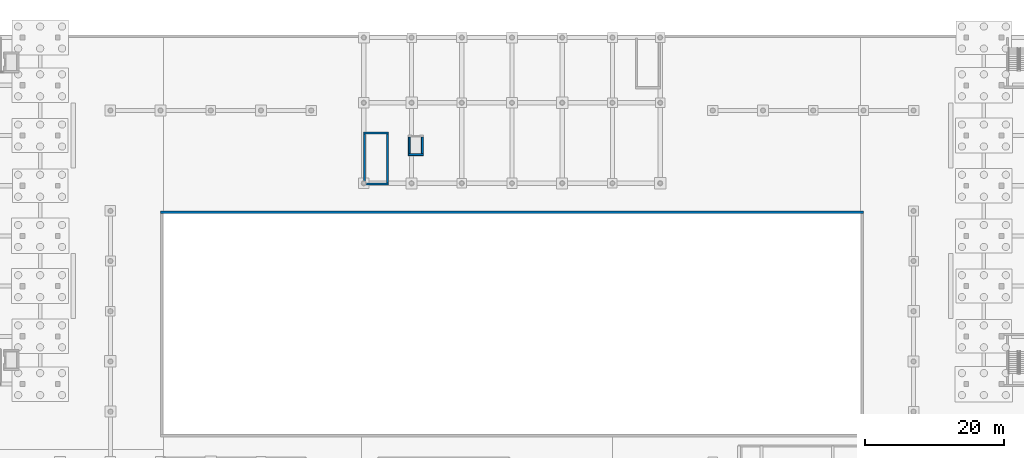
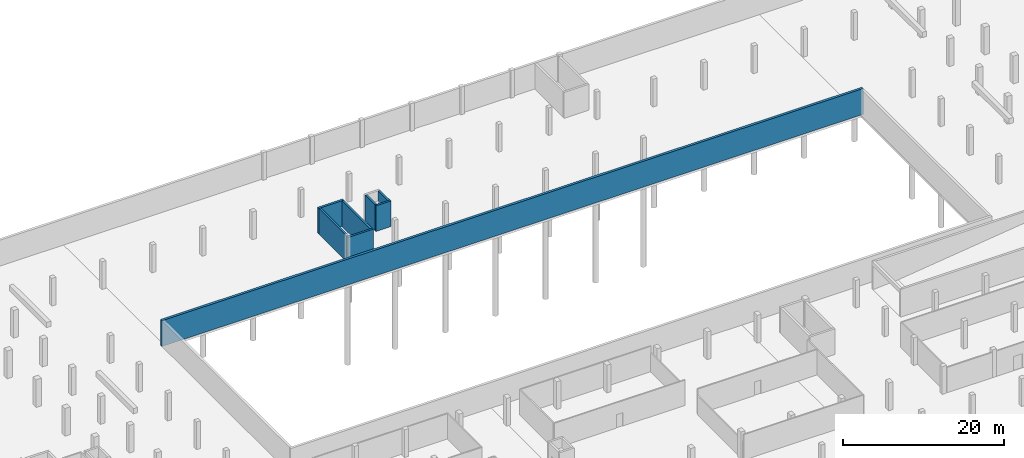
# One storey, part 23 of 36: 8 walls.
"""IFC4 building model written with IfcOpenShell, lengths in metres."""

from ifc_helpers import new_model, si_unit, derived_unit, direction, frame, frame_2d, origin, place, context, subcontext, project, spatial, rectangle, extrude, material, layer, layer_set, type_object, element, save


model = new_model("IFC4")

# Units and contexts
model_context = context("Model", 3, precision=1e-05, world=origin(), true_north=direction((0.0, 1.0)))
body_context = subcontext(model_context, "Body", "Model", "MODEL_VIEW")
ifc_project = project(units=[si_unit("LENGTHUNIT", "METRE"), si_unit("AREAUNIT", "SQUARE_METRE"), si_unit("VOLUMEUNIT", "CUBIC_METRE"), si_unit("PLANEANGLEUNIT", "RADIAN"), si_unit("MASSUNIT", "GRAM", prefix="KILO"), derived_unit("THERMALTRANSMITTANCEUNIT", [(si_unit("MASSUNIT", "GRAM", prefix="KILO"), 1), (si_unit("TIMEUNIT", "SECOND"), -3), (si_unit("THERMODYNAMICTEMPERATUREUNIT", "KELVIN"), -1)])], contexts=[model_context])

# Site, building, storey
site_placement = place(None, origin())
site = spatial("IfcSite", under=ifc_project, at=site_placement, CompositionType="ELEMENT")
building_placement = place(site_placement, origin())
building = spatial("IfcBuilding", under=site, at=building_placement, Name="Ochrekiln Boulevard Commons", CompositionType="ELEMENT")
storey_placement = place(building_placement, frame((0.0, 0.0, -4.199951171875)))
storey = spatial("IfcBuildingStorey", under=building, at=storey_placement, Name="B1", CompositionType="ELEMENT", Elevation=-4.199951171875)

# Walls
ifc_material_1 = material(Name="Concrete C35/45", Category="concrete")
ifc_layer_1 = layer(ifc_material_1, 0.35009765625)
ifc_layer_set_1 = layer_set([ifc_layer_1], Name="Concrete C35/45")
wall_type_1 = type_object("IfcWallType", Name="WL-B1-RET-350", PredefinedType="SOLIDWALL", material=ifc_layer_set_1)
wall_1_placement = place(storey_placement, frame((36.0, 93.425048828125, 0.0), z_axis=(0.0, 0.0, 1.0), x_axis=(1.0, 0.0, 0.0)))
element("IfcWall", 1, at=wall_1_placement, inside=storey, type_object=wall_type_1, Name="B1 Courtyard Soil-Core Retaining N Exterior Wall", PredefinedType="SOLIDWALL", context=body_context, shape_type="SweptSolid", body=[
    extrude(rectangle(XDim=100.800048828125, YDim=0.35009765625, at=frame_2d((50.39990234375, 0.0))), origin(), (0.0, 0.0, 1.0), 3.919921875),
])
ifc_material_2 = material(Name="Concrete C40/50", Category="concrete")
ifc_layer_2 = layer(ifc_material_2, 0.27490234375)
ifc_layer_set_2 = layer_set([ifc_layer_2], Name="Concrete C40/50")
wall_type_2 = type_object("IfcWallType", Name="WL-SH-275", PredefinedType="SHEAR", material=ifc_layer_set_2)
wall_2_placement = place(storey_placement, frame((71.52490234375, 101.66259765625, 0.0), z_axis=(0.0, 0.0, 1.0), x_axis=(1.0, 0.0, 0.0)))
element("IfcWall", 2, at=wall_2_placement, inside=storey, type_object=wall_type_2, Name="Elevator LP-N1 B1 Hoistway Shear Wall", PredefinedType="SHEAR", context=body_context, shape_type="SweptSolid", body=[
    extrude(rectangle(XDim=2.150146484375, YDim=0.27490234375, at=frame_2d((1.0751953125, 0.0))), origin(), (0.0, 0.0, 1.0), 3.919921875),
])
for number, where, z_axis, x_axis, name in (
    (3, (71.66259765625, 101.800048828125, 0.0), (0.0, 0.0, 1.0), (0.0, 1.0, 0.0), "Elevator LP-N1 B1 Hoistway Shear Wall"),
    (4, (73.53759765625, 101.800048828125, 0.0), (0.0, 0.0, 1.0), (0.0, 1.0, 0.0), "Elevator LP-N1 B1 Hoistway Shear Wall"),
):
    element("IfcWall", number, at=place(storey_placement, frame(where, z_axis=z_axis, x_axis=x_axis)), inside=storey, type_object=wall_type_2, Name=name, PredefinedType="SHEAR", context=body_context, shape_type="SweptSolid", body=[
        extrude(rectangle(XDim=2.39990234375, YDim=0.27490234375, at=frame_2d((1.199951171875, 0.0))), origin(), (0.0, 0.0, 1.0), 3.919921875),
    ])
ifc_layer_3 = layer(ifc_material_2, 0.300048828125)
ifc_layer_set_3 = layer_set([ifc_layer_3], Name="Concrete C40/50")
wall_type_3 = type_object("IfcWallType", Name="WL-SH-300", PredefinedType="SHEAR", material=ifc_layer_set_3)
for number, where, z_axis, x_axis, name in (
    (5, (65.10009765625, 97.449951171875, 0.0), (0.0, 0.0, 1.0), (1.0, 0.0, 0.0), "Stair ST-N1 B1 Core Shear Wall S"),
    (6, (65.10009765625, 104.75, 0.0), (0.0, 0.0, 1.0), (1.0, 0.0, 0.0), "Stair ST-N1 B1 Core Shear Wall N"),
):
    element("IfcWall", number, at=place(storey_placement, frame(where, z_axis=z_axis, x_axis=x_axis)), inside=storey, type_object=wall_type_3, Name=name, PredefinedType="SHEAR", context=body_context, shape_type="SweptSolid", body=[
        extrude(rectangle(XDim=3.599853515625, YDim=0.300048828125, at=frame_2d((1.7998046875, 0.0))), origin(), (0.0, 0.0, 1.0), 3.919921875),
    ])
for number, where, z_axis, x_axis, name in (
    (7, (65.25, 97.60009765625, 0.0), (0.0, 0.0, 1.0), (0.0, 1.0, 0.0), "Stair ST-N1 B1 Core Shear Wall W"),
    (8, (68.550048828125, 97.60009765625, 0.0), (0.0, 0.0, 1.0), (0.0, 1.0, 0.0), "Stair ST-N1 B1 Core Shear Wall E"),
):
    element("IfcWall", number, at=place(storey_placement, frame(where, z_axis=z_axis, x_axis=x_axis)), inside=storey, type_object=wall_type_3, Name=name, PredefinedType="SHEAR", context=body_context, shape_type="SweptSolid", body=[
        extrude(rectangle(XDim=7.0, YDim=0.300048828125, at=frame_2d((3.5, 0.0))), origin(), (0.0, 0.0, 1.0), 3.919921875),
    ])

save(model, "model.ifc")
